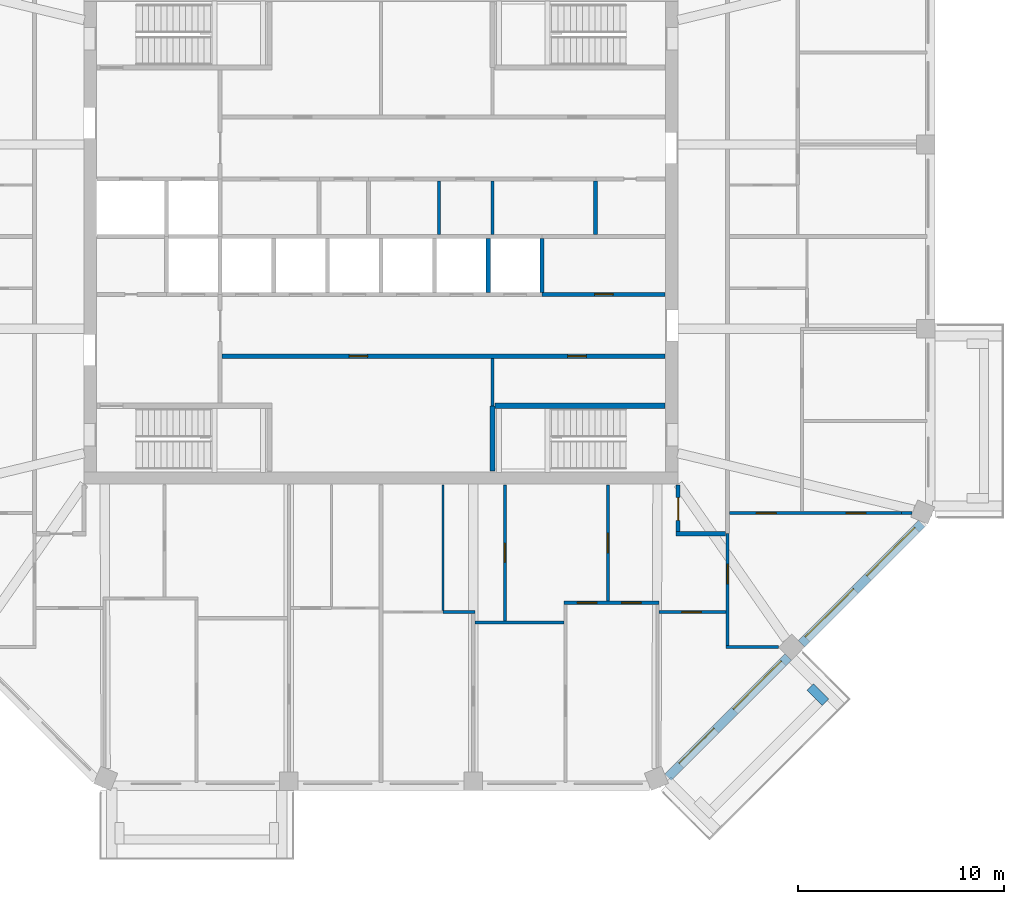
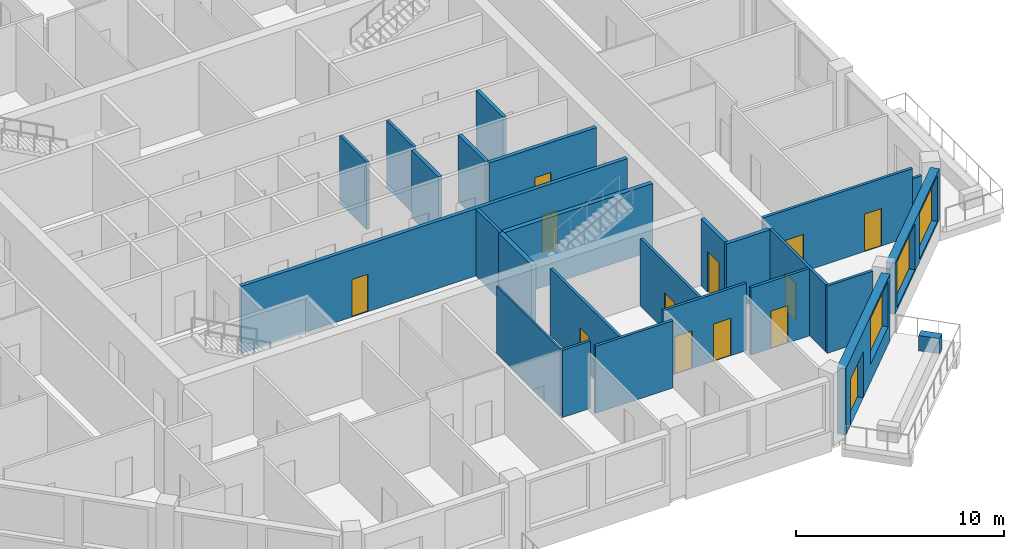
# One storey, part 5 of 11: 26 walls, 13 doors, 3 windows, 16 openings.
"""IFC4 building model written with IfcOpenShell, lengths in metres."""

import ifcopenshell
import ifcopenshell.guid

model = None  # the IFC model being written
_history = None  # IfcOwnerHistory: only IFC2X3 demands one
_inside = {}  # id of a spatial element -> (the spatial element, [elements in it])
_under = {}  # id of a project, library or spatial element -> (it, [spatial elements below it])
_declared = {}  # id of a project -> (the project, [libraries it declares])
_typed = {}  # id of a type object -> (the type object, [elements of that type])
_made_of = {}  # id of a material, layer set ... -> (it, [elements and type objects made of it])


def new_model(schema):
    """Start an empty IFC model of exactly this schema.

    Asked for "IFC4X3", IfcOpenShell would pick the latest addendum, in which some entities
    have other attributes; the version numbers below select the first issue.
    IFC2X3 requires an IfcOwnerHistory on every rooted entity: one is made here for all.
    """
    global model, _history
    if schema == "IFC4X3":
        model = ifcopenshell.file(schema_version=(4, 3, 0, 0))
    else:
        model = ifcopenshell.file(schema=schema)
    _inside.clear()
    _under.clear()
    _declared.clear()
    _typed.clear()
    _made_of.clear()
    _history = None
    if model.schema == "IFC2X3":
        org = make("IfcOrganization", Name="unknown")
        user = make(
            "IfcPersonAndOrganization",
            ThePerson=make("IfcPerson", FamilyName="unknown"),
            TheOrganization=org,
        )
        app = make(
            "IfcApplication",
            ApplicationDeveloper=org,
            Version="unknown",
            ApplicationFullName="unknown",
            ApplicationIdentifier="unknown",
        )
        _history = make(
            "IfcOwnerHistory",
            OwningUser=user,
            OwningApplication=app,
            ChangeAction="ADDED",
            CreationDate=0,
        )
    return model


def make(cls, **values):
    """One entity of the class cls with the attributes given. An attribute that is None is left unset."""
    return model.create_entity(
        cls, **{name: value for name, value in values.items() if value is not None}
    )


def rooted(cls, **values):
    """An entity with a GlobalId (a new one), such as an element, a storey or a relation."""
    return make(cls, GlobalId=ifcopenshell.guid.new(), OwnerHistory=_history, **values)


def si_unit(unit_type, name, prefix=None):
    """IfcSIUnit, for example si_unit("LENGTHUNIT", "METRE", prefix="MILLI")."""
    return make("IfcSIUnit", UnitType=unit_type, Prefix=prefix, Name=name)


def assignment(units):
    """IfcUnitAssignment: the units of a project."""
    return None if units is None else make("IfcUnitAssignment", Units=units)


def point(xyz):
    """IfcCartesianPoint."""
    return None if xyz is None else make("IfcCartesianPoint", Coordinates=xyz)


def direction(xyz):
    """IfcDirection."""
    return None if xyz is None else make("IfcDirection", DirectionRatios=xyz)


def frame(location, z_axis=None, x_axis=None):
    """IfcAxis2Placement3D, a coordinate frame: its origin and axes. An axis left out is left unset."""
    return make(
        "IfcAxis2Placement3D",
        Location=point(location),
        Axis=direction(z_axis),
        RefDirection=direction(x_axis),
    )


def frame_2d(location, x_axis=None):
    """IfcAxis2Placement2D, a coordinate frame in the plane: its origin and x axis."""
    return make(
        "IfcAxis2Placement2D", Location=point(location), RefDirection=direction(x_axis)
    )


def origin():
    """The frame at (0, 0, 0) with its axes left unset."""
    return frame((0.0, 0.0, 0.0))


def place(relative_to, where):
    """IfcLocalPlacement: puts the frame where relative to a parent placement (None: the world)."""
    return make(
        "IfcLocalPlacement", PlacementRelTo=relative_to, RelativePlacement=where
    )


def context(
    kind, dimensions, precision=None, world=None, true_north=None, identifier=None
):
    """IfcGeometricRepresentationContext, for example the 3D "Model" context."""
    return make(
        "IfcGeometricRepresentationContext",
        ContextIdentifier=identifier,
        ContextType=kind,
        CoordinateSpaceDimension=dimensions,
        Precision=precision,
        WorldCoordinateSystem=world,
        TrueNorth=true_north,
    )


def subcontext(parent, identifier, kind, view, scale=None):
    """IfcGeometricRepresentationSubContext, for example "Body" below "Model"."""
    return make(
        "IfcGeometricRepresentationSubContext",
        ContextIdentifier=identifier,
        ContextType=kind,
        ParentContext=parent,
        TargetScale=scale,
        TargetView=view,
    )


def project(units=None, contexts=None):
    """IfcProject with its units and contexts."""
    return rooted(
        "IfcProject",
        Name="project",
        RepresentationContexts=contexts,
        UnitsInContext=assignment(units),
    )


def spatial(cls, under=None, at=None, **own):
    """A site, building, storey or space (cls), placed at a placement, below another one or the project."""
    s = rooted(cls, ObjectPlacement=at, **own)
    if under is not None:
        _under.setdefault(under.id(), (under, []))[1].append(s)
    return s


def profile(cls, at=None, kind="AREA", **sizes):
    """A parametric profile (cls). Its sizes go by their IFC names, for example OverallWidth=200.0."""
    return make(cls, ProfileType=kind, Position=at, **sizes)


def rectangle(**sizes):
    """IfcRectangleProfileDef."""
    return profile("IfcRectangleProfileDef", **sizes)


def extrude(swept, where, along, depth):
    """IfcExtrudedAreaSolid: the profile swept, set in the frame where, extruded along a direction by depth."""
    return make(
        "IfcExtrudedAreaSolid",
        SweptArea=swept,
        Position=where,
        ExtrudedDirection=direction(along),
        Depth=depth,
    )


def shape(context_of_items, identifier, shape_type, items):
    """IfcShapeRepresentation: the items that make up one representation, for example the "Body"."""
    return make(
        "IfcShapeRepresentation",
        ContextOfItems=context_of_items,
        RepresentationIdentifier=identifier,
        RepresentationType=shape_type,
        Items=items,
    )


def material(Name=None, Category=None):
    """IfcMaterial."""
    return make("IfcMaterial", Name=Name, Category=Category)


def layer(
    of_material, thickness, ventilated=None, Name=None, Category=None, Priority=None
):
    """IfcMaterialLayer: one layer of a wall or slab, of a material (None: an air gap)."""
    return make(
        "IfcMaterialLayer",
        Material=of_material,
        LayerThickness=thickness,
        IsVentilated=ventilated,
        Name=Name,
        Category=Category,
        Priority=Priority,
    )


def layer_set(layers, Name=None):
    """IfcMaterialLayerSet."""
    return make("IfcMaterialLayerSet", MaterialLayers=layers, LayerSetName=Name)


def made_of(thing, what):
    """Note that an element or type object is made of a material, layer set ...; save() writes the relation."""
    if what is not None:
        _made_of.setdefault(what.id(), (what, []))[1].append(thing)
    return thing


def type_object(cls, material=None, **own):
    """A type object (cls), such as IfcWallType, which elements share."""
    return made_of(rooted(cls, **own), material)


def element(
    cls,
    number,
    at=None,
    inside=None,
    cuts=None,
    type_object=None,
    material=None,
    context=None,
    identifier="Body",
    shape_type=None,
    held_by="IfcProductDefinitionShape",
    body=None,
    shapes=None,
    **own,
):
    """One element of the class cls, such as IfcWall. Its Tag is "e" and its number.

    at: its placement. inside: the storey or other place that contains it. cuts: it is an
    opening in that element (IfcRelVoidsElement). A single representation is given by context,
    identifier, shape_type and body (its items); several are given by shapes. held_by: the class
    of the entity that holds the representations. save() writes the other relations.
    """
    e = rooted(cls, Tag="e%d" % number, ObjectPlacement=at, **own)
    if body is not None:
        shapes = [shape(context, identifier, shape_type, body)]
    if shapes is not None:
        e.Representation = make(held_by, Representations=shapes)
    if inside is not None:
        _inside.setdefault(inside.id(), (inside, []))[1].append(e)
    if cuts is not None:
        rooted(
            "IfcRelVoidsElement", RelatingBuildingElement=cuts, RelatedOpeningElement=e
        )
    if type_object is not None:
        _typed.setdefault(type_object.id(), (type_object, []))[1].append(e)
    return made_of(e, material)


def fill(opening, filler):
    """IfcRelFillsElement: the door or window that sits in an opening."""
    return rooted(
        "IfcRelFillsElement",
        RelatingOpeningElement=opening,
        RelatedBuildingElement=filler,
    )


def aggregate(whole, parts):
    """IfcRelAggregates: a whole, such as a stair, and the parts it consists of."""
    return rooted("IfcRelAggregates", RelatingObject=whole, RelatedObjects=parts)


def save(model, path):
    """Write the relations noted so far, then the file.

    IfcRelAggregates (storeys below a building ...), IfcRelContainedInSpatialStructure (elements
    in a storey), IfcRelDefinesByType, IfcRelAssociatesMaterial and IfcRelDeclares: one each for
    every whole, place, type object, material and project.
    """
    for whole, parts in _under.values():
        aggregate(whole, parts)
    for where, things in _inside.values():
        rooted(
            "IfcRelContainedInSpatialStructure",
            RelatedElements=things,
            RelatingStructure=where,
        )
    for kind, things in _typed.values():
        rooted("IfcRelDefinesByType", RelatedObjects=things, RelatingType=kind)
    for what, things in _made_of.values():
        rooted("IfcRelAssociatesMaterial", RelatedObjects=things, RelatingMaterial=what)
    for by, libraries in _declared.values():
        rooted("IfcRelDeclares", RelatingContext=by, RelatedDefinitions=libraries)
    model.write(path)


model = new_model("IFC4")

# Units and contexts
model_context = context("Model", 3, precision=1e-05, world=origin(), true_north=direction((0.0, 1.0)))
body_context = subcontext(model_context, "Body", "Model", "MODEL_VIEW")
ifc_project = project(units=[si_unit("LENGTHUNIT", "METRE"), si_unit("AREAUNIT", "SQUARE_METRE"), si_unit("VOLUMEUNIT", "CUBIC_METRE"), si_unit("PLANEANGLEUNIT", "RADIAN"), si_unit("MASSUNIT", "GRAM", prefix="KILO")], contexts=[model_context])

# Site, building, storey
site_placement = place(None, origin())
site = spatial("IfcSite", under=ifc_project, at=site_placement, CompositionType="ELEMENT")
building_placement = place(site_placement, origin())
building = spatial("IfcBuilding", under=site, at=building_placement, Name="Msitu Wima Residences", CompositionType="ELEMENT")
storey_placement = place(building_placement, frame((0.0, 0.0, 226.5)))
storey = spatial("IfcBuildingStorey", under=building, at=storey_placement, Name="L52", CompositionType="ELEMENT", Elevation=226.5)

# Wall
ifc_material_1 = material(Name="Facing brick")
ifc_layer_1 = layer(ifc_material_1, 0.06494140625, Name="Facing brick")
ifc_material_2 = material(Name="Concrete C40/50", Category="concrete")
ifc_layer_2 = layer(ifc_material_2, 0.156005859375, Name="Concrete C40/50")
ifc_material_3 = material(Name="Waterproofing membrane")
ifc_layer_3 = layer(ifc_material_3, 0.00390625, Name="Waterproofing membrane")
ifc_material_4 = material(Name="Planting soil and planting")
ifc_layer_4 = layer(ifc_material_4, 0.22509765625, Name="Planting soil and planting")
ifc_layer_set_1 = layer_set([ifc_layer_1, ifc_layer_2, ifc_layer_3, ifc_layer_4], Name="Concrete C40/50")
wall_type_1 = type_object("IfcWallType", Name="Balcony planter PLANTER PL450", PredefinedType="USERDEFINED", material=ifc_layer_set_1)
wall_1_placement = place(storey_placement, frame((20.804443359375, -21.829833984375, 0.0), z_axis=(0.0, 0.0, 1.0), x_axis=(0.707106781187, -0.707106781187, 0.0)))
element("IfcWall", 1, at=wall_1_placement, inside=storey, type_object=wall_type_1, Name="Balcony planter SE0 L52", ObjectType="PLANTER", PredefinedType="USERDEFINED", context=body_context, shape_type="SweptSolid", body=[
    extrude(rectangle(XDim=1.050048828125, YDim=0.449951171875, at=frame_2d((0.52490234375, 0.0))), origin(), (0.0, 0.0, 1.0), 0.89990234375),
])

# Wall, openings, door, window
ifc_material_5 = material(Name="Brick (red buff mix)", Category="masonry")
ifc_layer_5 = layer(ifc_material_5, 0.449951171875)
ifc_layer_set_2 = layer_set([ifc_layer_5], Name="Brick (red buff mix)")
wall_type_2 = type_object("IfcWallType", Name="Brick infill wall BW450", PredefinedType="SOLIDWALL", material=ifc_layer_set_2)
wall_2_placement = place(storey_placement, frame((13.909423828125, -26.214599609375, 0.0), z_axis=(0.0, 0.0, 1.0), x_axis=(0.707106781187, 0.707106781187, 0.0)))
wall_2 = element("IfcWall", 2, at=wall_2_placement, inside=storey, type_object=wall_type_2, Name="Brick infill wall L52 SE0", PredefinedType="SOLIDWALL", context=body_context, shape_type="SweptSolid", body=[
    extrude(rectangle(XDim=8.251220703125, YDim=0.449951171875, at=frame_2d((4.12548828125, 0.0))), origin(), (0.0, 0.0, 1.0), 3.89990234375),
])
opening_1_placement = place(wall_2_placement, frame((0.86279296875, 0.0, 0.0)))
opening_1 = element("IfcOpeningElement", 3, at=opening_1_placement, cuts=wall_2, Name="Opening D52-54.006", PredefinedType="OPENING", context=body_context, shape_type="SweptSolid", body=[
    extrude(rectangle(XDim=2.39990234375, YDim=2.699951171875, at=frame_2d((1.199951171875, 1.35009765625))), frame((0.0, 0.23486328125, 0.0), z_axis=(0.0, -1.0, 0.0), x_axis=(1.0, 0.0, 0.0)), (0.0, 0.0, 1.0), 0.469970703125),
])
opening_2_placement = place(wall_2_placement, frame((4.57568359375, 0.0, 1.050048828125)))
opening_2 = element("IfcOpeningElement", 4, at=opening_2_placement, cuts=wall_2, Name="Opening W52-54.022", PredefinedType="OPENING", context=body_context, shape_type="SweptSolid", body=[
    extrude(rectangle(XDim=3.300048828125, YDim=2.699951171875, at=frame_2d((1.64990234375, 1.35009765625))), frame((0.0, 0.23486328125, 0.0), z_axis=(0.0, -1.0, 0.0), x_axis=(1.0, 0.0, 0.0)), (0.0, 0.0, 1.0), 0.469970703125),
])
ifc_material_6 = material(Name="Anodised aluminium, bronze finish, clear low-emissivity double glazing", Category="aluminium")
door_type_1 = type_object("IfcDoorType", Name="Balcony door D2400x2700", OperationType="SLIDING_TO_LEFT", PredefinedType="DOOR", material=ifc_material_6)
door_1_placement = place(opening_1_placement, origin())
door_1 = element("IfcDoor", 5, at=door_1_placement, inside=storey, type_object=door_type_1, Name="Balcony door L52 SE0", OperationType="SINGLE_SWING_LEFT", OverallHeight=2.699951171875, OverallWidth=2.39990234375, PredefinedType="DOOR", context=body_context, shape_type="SweptSolid", body=[
    extrude(rectangle(XDim=2.39990234375, YDim=2.699951171875, at=frame_2d((1.199951171875, 1.35009765625))), frame((0.0, 0.1298828125, 0.0), z_axis=(0.0, -1.0, 0.0), x_axis=(1.0, 0.0, 0.0)), (0.0, 0.0, 1.0), 0.050048828125),
])
fill(opening_1, door_1)
window_type = type_object("IfcWindowType", Name="Window W3300x2700", PartitioningType="DOUBLE_PANEL_VERTICAL", PredefinedType="WINDOW", material=ifc_material_6)
window_1_placement = place(opening_2_placement, origin())
window_1 = element("IfcWindow", 6, at=window_1_placement, inside=storey, type_object=window_type, Name="Window L52 SE0.2", OverallHeight=2.699951171875, OverallWidth=3.300048828125, PartitioningType="SINGLE_PANEL", PredefinedType="WINDOW", context=body_context, shape_type="SweptSolid", body=[
    extrude(rectangle(XDim=3.300048828125, YDim=2.699951171875, at=frame_2d((1.64990234375, 1.35009765625))), frame((0.0, 0.135009765625, 0.0), z_axis=(0.0, -1.0, 0.0), x_axis=(1.0, 0.0, 0.0)), (0.0, 0.0, 1.0), 0.06005859375),
])
fill(opening_2, window_1)

# Wall, openings, windows
wall_3_placement = place(storey_placement, frame((20.380126953125, -19.743896484375, 0.89990234375), z_axis=(0.0, 0.0, 1.0), x_axis=(0.707106781187, 0.707106781187, 0.0)))
wall_3 = element("IfcWall", 7, at=wall_3_placement, inside=storey, type_object=wall_type_2, Name="Brick infill wall L52 SE1", PredefinedType="SOLIDWALL", context=body_context, shape_type="SweptSolid", body=[
    extrude(rectangle(XDim=8.251220703125, YDim=0.449951171875, at=frame_2d((4.12548828125, 0.0))), origin(), (0.0, 0.0, 1.0), 3.0),
])
opening_3_placement = place(wall_3_placement, frame((0.37548828125, 0.0, 0.14990234375)))
opening_3 = element("IfcOpeningElement", 8, at=opening_3_placement, cuts=wall_3, Name="Opening W52-54.023", PredefinedType="OPENING", context=body_context, shape_type="SweptSolid", body=[
    extrude(rectangle(XDim=3.300048828125, YDim=2.699951171875, at=frame_2d((1.64990234375, 1.35009765625))), frame((0.0, 0.23486328125, 0.0), z_axis=(0.0, -1.0, 0.0), x_axis=(1.0, 0.0, 0.0)), (0.0, 0.0, 1.0), 0.469970703125),
])
opening_4_placement = place(wall_3_placement, frame((4.57568359375, 0.0, 0.14990234375)))
opening_4 = element("IfcOpeningElement", 9, at=opening_4_placement, cuts=wall_3, Name="Opening W52-54.024", PredefinedType="OPENING", context=body_context, shape_type="SweptSolid", body=[
    extrude(rectangle(XDim=3.300048828125, YDim=2.699951171875, at=frame_2d((1.64990234375, 1.35009765625))), frame((0.0, 0.23486328125, 0.0), z_axis=(0.0, -1.0, 0.0), x_axis=(1.0, 0.0, 0.0)), (0.0, 0.0, 1.0), 0.469970703125),
])
window_2_placement = place(opening_3_placement, origin())
window_2 = element("IfcWindow", 10, at=window_2_placement, inside=storey, type_object=window_type, Name="Window L52 SE1.1", OverallHeight=2.699951171875, OverallWidth=3.300048828125, PartitioningType="SINGLE_PANEL", PredefinedType="WINDOW", context=body_context, shape_type="SweptSolid", body=[
    extrude(rectangle(XDim=3.300048828125, YDim=2.699951171875, at=frame_2d((1.64990234375, 1.35009765625))), frame((0.0, 0.135009765625, 0.0), z_axis=(0.0, -1.0, 0.0), x_axis=(1.0, 0.0, 0.0)), (0.0, 0.0, 1.0), 0.06005859375),
])
fill(opening_3, window_2)
window_3_placement = place(opening_4_placement, origin())
window_3 = element("IfcWindow", 11, at=window_3_placement, inside=storey, type_object=window_type, Name="Window L52 SE1.2", OverallHeight=2.699951171875, OverallWidth=3.300048828125, PartitioningType="SINGLE_PANEL", PredefinedType="WINDOW", context=body_context, shape_type="SweptSolid", body=[
    extrude(rectangle(XDim=3.300048828125, YDim=2.699951171875, at=frame_2d((1.64990234375, 1.35009765625))), frame((0.0, 0.135009765625, 0.0), z_axis=(0.0, -1.0, 0.0), x_axis=(1.0, 0.0, 0.0)), (0.0, 0.0, 1.0), 0.06005859375),
])
fill(opening_4, window_3)

# Wall, openings, doors
ifc_material_7 = material(Name="Plaster")
ifc_layer_6 = layer(ifc_material_7, 0.011962890625, Name="Plaster")
ifc_material_8 = material(Name="Concrete blockwork", Category="masonry")
ifc_layer_7 = layer(ifc_material_8, 0.176025390625, Name="Concrete blockwork")
ifc_layer_8 = layer(ifc_material_7, 0.011962890625, Name="Plaster")
ifc_layer_set_3 = layer_set([ifc_layer_6, ifc_layer_7, ifc_layer_8], Name="Concrete blockwork")
wall_type_3 = type_object("IfcWallType", Name="Corridor wall FW200", PredefinedType="PARTITIONING", material=ifc_layer_set_3)
wall_4_placement = place(storey_placement, frame((-7.699951171875, -5.800048828125, 0.0), z_axis=(0.0, 0.0, 1.0), x_axis=(1.0, 0.0, 0.0)))
wall_4 = element("IfcWall", 12, at=wall_4_placement, inside=storey, type_object=wall_type_3, Name="Corridor wall", PredefinedType="PARTITIONING", context=body_context, shape_type="SweptSolid", body=[
    extrude(rectangle(XDim=21.469970703125, YDim=0.199951171875, at=frame_2d((10.73486328125, 0.0))), origin(), (0.0, 0.0, 1.0), 3.949951171875),
])
opening_5_placement = place(wall_4_placement, frame((6.14990234375, 0.0, 0.0)))
opening_5 = element("IfcOpeningElement", 13, at=opening_5_placement, cuts=wall_4, Name="Opening D52-54.074", PredefinedType="OPENING", context=body_context, shape_type="SweptSolid", body=[
    extrude(rectangle(XDim=0.89990234375, YDim=2.199951171875, at=frame_2d((0.449951171875, 1.10009765625))), frame((0.0, 0.10986328125, 0.0), z_axis=(0.0, -1.0, 0.0), x_axis=(1.0, 0.0, 0.0)), (0.0, 0.0, 1.0), 0.219970703125),
])
opening_6_placement = place(wall_4_placement, frame((16.75, 0.0, 0.0)))
opening_6 = element("IfcOpeningElement", 14, at=opening_6_placement, cuts=wall_4, Name="Opening D52-54.075", PredefinedType="OPENING", context=body_context, shape_type="SweptSolid", body=[
    extrude(rectangle(XDim=0.89990234375, YDim=2.199951171875, at=frame_2d((0.449951171875, 1.10009765625))), frame((0.0, 0.10986328125, 0.0), z_axis=(0.0, -1.0, 0.0), x_axis=(1.0, 0.0, 0.0)), (0.0, 0.0, 1.0), 0.219970703125),
])
ifc_material_9 = material(Name="Timber flush door", Category="wood")
door_type_2 = type_object("IfcDoorType", Name="Service door D05 900x2200", OperationType="SINGLE_SWING_LEFT", PredefinedType="DOOR", material=ifc_material_9)
door_2_placement = place(opening_5_placement, origin())
door_2 = element("IfcDoor", 15, at=door_2_placement, inside=storey, type_object=door_type_2, Name="Service door", OperationType="SINGLE_SWING_RIGHT", OverallHeight=2.199951171875, OverallWidth=0.89990234375, PredefinedType="DOOR", context=body_context, shape_type="SweptSolid", body=[
    extrude(rectangle(XDim=0.89990234375, YDim=2.199951171875, at=frame_2d((0.449951171875, 1.10009765625))), frame((0.0, 0.02490234375, 0.0), z_axis=(0.0, -1.0, 0.0), x_axis=(1.0, 0.0, 0.0)), (0.0, 0.0, 1.0), 0.050048828125),
])
fill(opening_5, door_2)
door_3_placement = place(opening_6_placement, origin())
door_3 = element("IfcDoor", 16, at=door_3_placement, inside=storey, type_object=door_type_2, Name="Service door", OperationType="SINGLE_SWING_LEFT", OverallHeight=2.199951171875, OverallWidth=0.89990234375, PredefinedType="DOOR", context=body_context, shape_type="SweptSolid", body=[
    extrude(rectangle(XDim=0.89990234375, YDim=2.199951171875, at=frame_2d((0.449951171875, 1.10009765625))), frame((0.0, 0.02490234375, 0.0), z_axis=(0.0, -1.0, 0.0), x_axis=(1.0, 0.0, 0.0)), (0.0, 0.0, 1.0), 0.050048828125),
])
fill(opening_6, door_3)

# Wall, opening, door
wall_5_placement = place(storey_placement, frame((14.39990234375, -14.300048828125, 0.0), z_axis=(0.0, 0.0, 1.0), x_axis=(0.0, 1.0, 0.0)))
wall_5 = element("IfcWall", 17, at=wall_5_placement, inside=storey, type_object=wall_type_3, Name="Corridor wall", PredefinedType="PARTITIONING", context=body_context, shape_type="SweptSolid", body=[
    extrude(rectangle(XDim=2.27001953125, YDim=0.199951171875, at=frame_2d((1.135009765625, 0.0))), origin(), (0.0, 0.0, 1.0), 3.949951171875),
])
opening_7_placement = place(wall_5_placement, frame((0.550048828125, 0.0, 0.0)))
opening_7 = element("IfcOpeningElement", 18, at=opening_7_placement, cuts=wall_5, Name="Opening D52-54.051", PredefinedType="OPENING", context=body_context, shape_type="SweptSolid", body=[
    extrude(rectangle(XDim=1.10009765625, YDim=2.39990234375, at=frame_2d((0.550048828125, 1.199951171875))), frame((0.0, 0.10986328125, 0.0), z_axis=(0.0, -1.0, 0.0), x_axis=(1.0, 0.0, 0.0)), (0.0, 0.0, 1.0), 0.219970703125),
])
ifc_material_10 = material(Name="Timber flush door, fire resisting, self-closing", Category="wood")
door_type_3 = type_object("IfcDoorType", Name="Flat entrance door D01 1100x2400", OperationType="SINGLE_SWING_LEFT", PredefinedType="DOOR", material=ifc_material_10)
door_4_placement = place(opening_7_placement, origin())
door_4 = element("IfcDoor", 19, at=door_4_placement, inside=storey, type_object=door_type_3, Name="Flat entrance door", OperationType="SINGLE_SWING_RIGHT", OverallHeight=2.39990234375, OverallWidth=1.10009765625, PredefinedType="DOOR", context=body_context, shape_type="SweptSolid", body=[
    extrude(rectangle(XDim=1.10009765625, YDim=2.39990234375, at=frame_2d((0.550048828125, 1.199951171875))), frame((0.0, 0.02490234375, 0.0), z_axis=(0.0, -1.0, 0.0), x_axis=(1.0, 0.0, 0.0)), (0.0, 0.0, 1.0), 0.050048828125),
])
fill(opening_7, door_4)

# Walls
wall_6_placement = place(storey_placement, frame((14.300048828125, -14.39990234375, 0.0), z_axis=(0.0, 0.0, 1.0), x_axis=(1.0, 0.0, 0.0)))
element("IfcWall", 20, at=wall_6_placement, inside=storey, type_object=wall_type_3, Name="Corridor wall", PredefinedType="PARTITIONING", context=body_context, shape_type="SweptSolid", body=[
    extrude(rectangle(XDim=2.39990234375, YDim=0.199951171875, at=frame_2d((1.199951171875, 0.0))), origin(), (0.0, 0.0, 1.0), 3.949951171875),
])
ifc_layer_9 = layer(ifc_material_7, 0.011962890625, Name="Plaster")
ifc_layer_10 = layer(ifc_material_8, 0.1259765625, Name="Concrete blockwork")
ifc_layer_11 = layer(ifc_material_7, 0.011962890625, Name="Plaster")
ifc_layer_set_4 = layer_set([ifc_layer_9, ifc_layer_10, ifc_layer_11], Name="Concrete blockwork")
wall_type_4 = type_object("IfcWallType", Name="Partition PW150", PredefinedType="PARTITIONING", material=ifc_layer_set_4)
wall_7_placement = place(storey_placement, frame((2.800048828125, 0.10009765625, 0.0), z_axis=(0.0, 0.0, 1.0), x_axis=(0.0, 1.0, 0.0)))
element("IfcWall", 21, at=wall_7_placement, inside=storey, type_object=wall_type_4, Name="Partition", PredefinedType="PARTITIONING", context=body_context, shape_type="SweptSolid", body=[
    extrude(rectangle(XDim=2.599853515625, YDim=0.14990234375, at=frame_2d((1.2998046875, 0.0))), origin(), (0.0, 0.0, 1.0), 3.949951171875),
])
wall_8_placement = place(storey_placement, frame((3.0, -18.199951171875, 0.0), z_axis=(0.0, 0.0, 1.0), x_axis=(1.0, 0.0, 0.0)))
element("IfcWall", 22, at=wall_8_placement, inside=storey, type_object=wall_type_4, Name="Partition", PredefinedType="PARTITIONING", context=body_context, shape_type="SweptSolid", body=[
    extrude(rectangle(XDim=1.543701171875, YDim=0.14990234375, at=frame_2d((0.77197265625, 0.0))), origin(), (0.0, 0.0, 1.0), 3.949951171875),
])
wall_9_placement = place(storey_placement, frame((4.543701171875, -18.699951171875, 0.0), z_axis=(0.0, 0.0, 1.0), x_axis=(1.0, 0.0, 0.0)))
element("IfcWall", 23, at=wall_9_placement, inside=storey, type_object=wall_type_4, Name="Partition", PredefinedType="PARTITIONING", context=body_context, shape_type="SweptSolid", body=[
    extrude(rectangle(XDim=4.318603515625, YDim=0.14990234375, at=frame_2d((2.1591796875, 0.0))), origin(), (0.0, 0.0, 1.0), 3.949951171875),
])
wall_10_placement = place(storey_placement, frame((5.39990234375, -8.199951171875, 0.0), z_axis=(0.0, 0.0, 1.0), x_axis=(0.0, 1.0, 0.0)))
element("IfcWall", 24, at=wall_10_placement, inside=storey, type_object=wall_type_4, Name="Partition", PredefinedType="PARTITIONING", context=body_context, shape_type="SweptSolid", body=[
    extrude(rectangle(XDim=2.300048828125, YDim=0.14990234375, at=frame_2d((1.14990234375, 0.0))), origin(), (0.0, 0.0, 1.0), 3.949951171875),
])
wall_11_placement = place(storey_placement, frame((5.39990234375, 0.10009765625, 0.0), z_axis=(0.0, 0.0, 1.0), x_axis=(0.0, 1.0, 0.0)))
element("IfcWall", 25, at=wall_11_placement, inside=storey, type_object=wall_type_4, Name="Partition", PredefinedType="PARTITIONING", context=body_context, shape_type="SweptSolid", body=[
    extrude(rectangle(XDim=2.599853515625, YDim=0.14990234375, at=frame_2d((1.2998046875, 0.0))), origin(), (0.0, 0.0, 1.0), 3.949951171875),
])

# Wall, opening, door
wall_12_placement = place(storey_placement, frame((6.0, -18.625, 0.0), z_axis=(0.0, 0.0, 1.0), x_axis=(0.0, 1.0, 0.0)))
wall_12 = element("IfcWall", 26, at=wall_12_placement, inside=storey, type_object=wall_type_4, Name="Partition", PredefinedType="PARTITIONING", context=body_context, shape_type="SweptSolid", body=[
    extrude(rectangle(XDim=6.594970703125, YDim=0.14990234375, at=frame_2d((3.29736328125, 0.0))), origin(), (0.0, 0.0, 1.0), 3.949951171875),
])
opening_8_placement = place(wall_12_placement, frame((2.85009765625, 0.0, 0.0)))
opening_8 = element("IfcOpeningElement", 27, at=opening_8_placement, cuts=wall_12, Name="Opening D52-54.061", PredefinedType="OPENING", context=body_context, shape_type="SweptSolid", body=[
    extrude(rectangle(XDim=0.89990234375, YDim=2.199951171875, at=frame_2d((0.449951171875, 1.10009765625))), frame((0.0, 0.0849609375, 0.0), z_axis=(0.0, -1.0, 0.0), x_axis=(1.0, 0.0, 0.0)), (0.0, 0.0, 1.0), 0.169921875),
])
door_5_placement = place(opening_8_placement, origin())
door_5 = element("IfcDoor", 28, at=door_5_placement, inside=storey, type_object=door_type_2, Name="Service door", OperationType="SINGLE_SWING_LEFT", OverallHeight=2.199951171875, OverallWidth=0.89990234375, PredefinedType="DOOR", context=body_context, shape_type="SweptSolid", body=[
    extrude(rectangle(XDim=0.89990234375, YDim=2.199951171875, at=frame_2d((0.449951171875, 1.10009765625))), frame((0.0, 0.02490234375, 0.0), z_axis=(0.0, -1.0, 0.0), x_axis=(1.0, 0.0, 0.0)), (0.0, 0.0, 1.0), 0.050048828125),
])
fill(opening_8, door_5)

# Wall, openings, doors
wall_13_placement = place(storey_placement, frame((8.8623046875, -17.75, 0.0), z_axis=(0.0, 0.0, 1.0), x_axis=(1.0, 0.0, 0.0)))
wall_13 = element("IfcWall", 29, at=wall_13_placement, inside=storey, type_object=wall_type_4, Name="Partition", PredefinedType="PARTITIONING", context=body_context, shape_type="SweptSolid", body=[
    extrude(rectangle(XDim=4.61865234375, YDim=0.14990234375, at=frame_2d((2.309326171875, 0.0))), origin(), (0.0, 0.0, 1.0), 3.949951171875),
])
opening_9_placement = place(wall_13_placement, frame((2.800048828125, 0.0, 0.0)))
opening_9 = element("IfcOpeningElement", 30, at=opening_9_placement, cuts=wall_13, Name="Opening D52-54.058", PredefinedType="OPENING", context=body_context, shape_type="SweptSolid", body=[
    extrude(rectangle(XDim=0.949951171875, YDim=2.199951171875, at=frame_2d((0.47509765625, 1.10009765625))), frame((0.0, 0.0849609375, 0.0), z_axis=(0.0, -1.0, 0.0), x_axis=(1.0, 0.0, 0.0)), (0.0, 0.0, 1.0), 0.169921875),
])
opening_10_placement = place(wall_13_placement, frame((0.64990234375, 0.0, 0.0)))
opening_10 = element("IfcOpeningElement", 31, at=opening_10_placement, cuts=wall_13, Name="Opening D52-54.057", PredefinedType="OPENING", context=body_context, shape_type="SweptSolid", body=[
    extrude(rectangle(XDim=0.949951171875, YDim=2.199951171875, at=frame_2d((0.47509765625, 1.10009765625))), frame((0.0, 0.0849609375, 0.0), z_axis=(0.0, -1.0, 0.0), x_axis=(1.0, 0.0, 0.0)), (0.0, 0.0, 1.0), 0.169921875),
])
door_type_4 = type_object("IfcDoorType", Name="Room door D12 950x2200", OperationType="SINGLE_SWING_LEFT", PredefinedType="DOOR", material=ifc_material_9)
door_6_placement = place(opening_9_placement, origin())
door_6 = element("IfcDoor", 32, at=door_6_placement, inside=storey, type_object=door_type_4, Name="Room door", OperationType="SINGLE_SWING_LEFT", OverallHeight=2.199951171875, OverallWidth=0.949951171875, PredefinedType="DOOR", context=body_context, shape_type="SweptSolid", body=[
    extrude(rectangle(XDim=0.949951171875, YDim=2.199951171875, at=frame_2d((0.47509765625, 1.10009765625))), frame((0.0, 0.02490234375, 0.0), z_axis=(0.0, -1.0, 0.0), x_axis=(1.0, 0.0, 0.0)), (0.0, 0.0, 1.0), 0.050048828125),
])
fill(opening_9, door_6)
door_7_placement = place(opening_10_placement, origin())
door_7 = element("IfcDoor", 33, at=door_7_placement, inside=storey, type_object=door_type_4, Name="Room door", OperationType="SINGLE_SWING_RIGHT", OverallHeight=2.199951171875, OverallWidth=0.949951171875, PredefinedType="DOOR", context=body_context, shape_type="SweptSolid", body=[
    extrude(rectangle(XDim=0.949951171875, YDim=2.199951171875, at=frame_2d((0.47509765625, 1.10009765625))), frame((0.0, 0.02490234375, 0.0), z_axis=(0.0, -1.0, 0.0), x_axis=(1.0, 0.0, 0.0)), (0.0, 0.0, 1.0), 0.050048828125),
])
fill(opening_10, door_7)

# Wall, opening, door
wall_14_placement = place(storey_placement, frame((11.0, -17.675048828125, 0.0), z_axis=(0.0, 0.0, 1.0), x_axis=(0.0, 1.0, 0.0)))
wall_14 = element("IfcWall", 34, at=wall_14_placement, inside=storey, type_object=wall_type_4, Name="Partition", PredefinedType="PARTITIONING", context=body_context, shape_type="SweptSolid", body=[
    extrude(rectangle(XDim=5.64501953125, YDim=0.14990234375, at=frame_2d((2.822509765625, 0.0))), origin(), (0.0, 0.0, 1.0), 3.949951171875),
])
opening_11_placement = place(wall_14_placement, frame((2.35009765625, 0.0, 0.0)))
opening_11 = element("IfcOpeningElement", 35, at=opening_11_placement, cuts=wall_14, Name="Opening D52-54.052", PredefinedType="OPENING", context=body_context, shape_type="SweptSolid", body=[
    extrude(rectangle(XDim=0.949951171875, YDim=2.199951171875, at=frame_2d((0.47509765625, 1.10009765625))), frame((0.0, 0.0849609375, 0.0), z_axis=(0.0, -1.0, 0.0), x_axis=(1.0, 0.0, 0.0)), (0.0, 0.0, 1.0), 0.169921875),
])
door_8_placement = place(opening_11_placement, origin())
door_8 = element("IfcDoor", 36, at=door_8_placement, inside=storey, type_object=door_type_4, Name="Room door", OperationType="SINGLE_SWING_LEFT", OverallHeight=2.199951171875, OverallWidth=0.949951171875, PredefinedType="DOOR", context=body_context, shape_type="SweptSolid", body=[
    extrude(rectangle(XDim=0.949951171875, YDim=2.199951171875, at=frame_2d((0.47509765625, 1.10009765625))), frame((0.0, 0.02490234375, 0.0), z_axis=(0.0, -1.0, 0.0), x_axis=(1.0, 0.0, 0.0)), (0.0, 0.0, 1.0), 0.050048828125),
])
fill(opening_11, door_8)

wall_15_placement = place(storey_placement, frame((13.48095703125, -18.199951171875, 0.0), z_axis=(0.0, 0.0, 1.0), x_axis=(1.0, 0.0, 0.0)))
wall_15 = element("IfcWall", 37, at=wall_15_placement, inside=storey, type_object=wall_type_4, Name="Partition", PredefinedType="PARTITIONING", context=body_context, shape_type="SweptSolid", body=[
    extrude(rectangle(XDim=3.244140625, YDim=0.14990234375, at=frame_2d((1.6220703125, 0.0))), origin(), (0.0, 0.0, 1.0), 3.949951171875),
])
opening_12_placement = place(wall_15_placement, frame((1.10009765625, 0.0, 0.0)))
opening_12 = element("IfcOpeningElement", 38, at=opening_12_placement, cuts=wall_15, Name="Opening D52-54.059", PredefinedType="OPENING", context=body_context, shape_type="SweptSolid", body=[
    extrude(rectangle(XDim=0.949951171875, YDim=2.199951171875, at=frame_2d((0.47509765625, 1.10009765625))), frame((0.0, 0.0849609375, 0.0), z_axis=(0.0, -1.0, 0.0), x_axis=(1.0, 0.0, 0.0)), (0.0, 0.0, 1.0), 0.169921875),
])
door_9_placement = place(opening_12_placement, origin())
door_9 = element("IfcDoor", 39, at=door_9_placement, inside=storey, type_object=door_type_4, Name="Room door", OperationType="SINGLE_SWING_RIGHT", OverallHeight=2.199951171875, OverallWidth=0.949951171875, PredefinedType="DOOR", context=body_context, shape_type="SweptSolid", body=[
    extrude(rectangle(XDim=0.949951171875, YDim=2.199951171875, at=frame_2d((0.47509765625, 1.10009765625))), frame((0.0, 0.02490234375, 0.0), z_axis=(0.0, -1.0, 0.0), x_axis=(1.0, 0.0, 0.0)), (0.0, 0.0, 1.0), 0.050048828125),
])
fill(opening_12, door_9)

wall_16_placement = place(storey_placement, frame((16.800048828125, -19.827880859375, 0.0), z_axis=(0.0, 0.0, 1.0), x_axis=(0.0, 1.0, 0.0)))
wall_16 = element("IfcWall", 40, at=wall_16_placement, inside=storey, type_object=wall_type_4, Name="Partition", PredefinedType="PARTITIONING", context=body_context, shape_type="SweptSolid", body=[
    extrude(rectangle(XDim=5.427978515625, YDim=0.14990234375, at=frame_2d((2.7138671875, 0.0))), origin(), (0.0, 0.0, 1.0), 3.949951171875),
])
opening_13_placement = place(wall_16_placement, frame((3.0, 0.0, 0.0)))
opening_13 = element("IfcOpeningElement", 41, at=opening_13_placement, cuts=wall_16, Name="Opening D52-54.060", PredefinedType="OPENING", context=body_context, shape_type="SweptSolid", body=[
    extrude(rectangle(XDim=0.949951171875, YDim=2.199951171875, at=frame_2d((0.47509765625, 1.10009765625))), frame((0.0, 0.0849609375, 0.0), z_axis=(0.0, -1.0, 0.0), x_axis=(1.0, 0.0, 0.0)), (0.0, 0.0, 1.0), 0.169921875),
])
door_10_placement = place(opening_13_placement, origin())
door_10 = element("IfcDoor", 42, at=door_10_placement, inside=storey, type_object=door_type_4, Name="Room door", OperationType="SINGLE_SWING_LEFT", OverallHeight=2.199951171875, OverallWidth=0.949951171875, PredefinedType="DOOR", context=body_context, shape_type="SweptSolid", body=[
    extrude(rectangle(XDim=0.949951171875, YDim=2.199951171875, at=frame_2d((0.47509765625, 1.10009765625))), frame((0.0, 0.02490234375, 0.0), z_axis=(0.0, -1.0, 0.0), x_axis=(1.0, 0.0, 0.0)), (0.0, 0.0, 1.0), 0.050048828125),
])
fill(opening_13, door_10)

# Wall
wall_17_placement = place(storey_placement, frame((16.72509765625, -19.90283203125, 0.0), z_axis=(0.0, 0.0, 1.0), x_axis=(1.0, 0.0, 0.0)))
element("IfcWall", 43, at=wall_17_placement, inside=storey, type_object=wall_type_4, Name="Partition", PredefinedType="PARTITIONING", context=body_context, shape_type="SweptSolid", body=[
    extrude(rectangle(XDim=2.54150390625, YDim=0.14990234375, at=frame_2d((1.270751953125, 0.0))), origin(), (0.0, 0.0, 1.0), 3.949951171875),
])

# Wall, openings, doors
wall_18_placement = place(storey_placement, frame((16.89990234375, -13.406005859375, 0.0), z_axis=(0.0, 0.0, 1.0), x_axis=(1.0, 0.0, 0.0)))
wall_18 = element("IfcWall", 44, at=wall_18_placement, inside=storey, type_object=wall_type_4, Name="Partition", PredefinedType="PARTITIONING", context=body_context, shape_type="SweptSolid", body=[
    extrude(rectangle(XDim=8.32421875, YDim=0.14990234375, at=frame_2d((4.162109375, 0.0))), origin(), (0.0, 0.0, 1.0), 3.949951171875),
])
opening_14_placement = place(wall_18_placement, frame((1.300048828125, 0.0, 0.0)))
opening_14 = element("IfcOpeningElement", 45, at=opening_14_placement, cuts=wall_18, Name="Opening D52-54.063", PredefinedType="OPENING", context=body_context, shape_type="SweptSolid", body=[
    extrude(rectangle(XDim=0.949951171875, YDim=2.199951171875, at=frame_2d((0.47509765625, 1.10009765625))), frame((0.0, 0.0849609375, 0.0), z_axis=(0.0, -1.0, 0.0), x_axis=(1.0, 0.0, 0.0)), (0.0, 0.0, 1.0), 0.169921875),
])
opening_15_placement = place(wall_18_placement, frame((5.64990234375, 0.0, 0.0)))
opening_15 = element("IfcOpeningElement", 46, at=opening_15_placement, cuts=wall_18, Name="Opening D52-54.053", PredefinedType="OPENING", context=body_context, shape_type="SweptSolid", body=[
    extrude(rectangle(XDim=0.949951171875, YDim=2.199951171875, at=frame_2d((0.47509765625, 1.10009765625))), frame((0.0, 0.0849609375, 0.0), z_axis=(0.0, -1.0, 0.0), x_axis=(1.0, 0.0, 0.0)), (0.0, 0.0, 1.0), 0.169921875),
])
door_11_placement = place(opening_14_placement, origin())
door_11 = element("IfcDoor", 47, at=door_11_placement, inside=storey, type_object=door_type_4, Name="Room door", OperationType="SINGLE_SWING_RIGHT", OverallHeight=2.199951171875, OverallWidth=0.949951171875, PredefinedType="DOOR", context=body_context, shape_type="SweptSolid", body=[
    extrude(rectangle(XDim=0.949951171875, YDim=2.199951171875, at=frame_2d((0.47509765625, 1.10009765625))), frame((0.0, 0.02490234375, 0.0), z_axis=(0.0, -1.0, 0.0), x_axis=(1.0, 0.0, 0.0)), (0.0, 0.0, 1.0), 0.050048828125),
])
fill(opening_14, door_11)
door_12_placement = place(opening_15_placement, origin())
door_12 = element("IfcDoor", 48, at=door_12_placement, inside=storey, type_object=door_type_4, Name="Room door", OperationType="SINGLE_SWING_LEFT", OverallHeight=2.199951171875, OverallWidth=0.949951171875, PredefinedType="DOOR", context=body_context, shape_type="SweptSolid", body=[
    extrude(rectangle(XDim=0.949951171875, YDim=2.199951171875, at=frame_2d((0.47509765625, 1.10009765625))), frame((0.0, 0.02490234375, 0.0), z_axis=(0.0, -1.0, 0.0), x_axis=(1.0, 0.0, 0.0)), (0.0, 0.0, 1.0), 0.050048828125),
])
fill(opening_15, door_12)

# Wall
wall_19_placement = place(storey_placement, frame((25.22412109375, -13.406005859375, 0.0), z_axis=(0.0, 0.0, 1.0), x_axis=(1.0, 0.0, 0.0)))
element("IfcWall", 49, at=wall_19_placement, inside=storey, type_object=wall_type_4, Name="Partition", PredefinedType="PARTITIONING", context=body_context, shape_type="SweptSolid", body=[
    extrude(rectangle(XDim=0.507080078125, YDim=0.14990234375, at=frame_2d((0.25341796875, 0.0))), origin(), (0.0, 0.0, 1.0), 3.35009765625),
])

# Wall, opening, door
ifc_layer_12 = layer(ifc_material_7, 0.011962890625, Name="Plaster")
ifc_material_11 = material(Name="Reinforced concrete blockwork", Category="masonry")
ifc_layer_13 = layer(ifc_material_11, 0.176025390625, Name="Reinforced concrete blockwork")
ifc_layer_14 = layer(ifc_material_7, 0.011962890625, Name="Plaster")
ifc_layer_set_5 = layer_set([ifc_layer_12, ifc_layer_13, ifc_layer_14], Name="Reinforced concrete blockwork")
wall_type_5 = type_object("IfcWallType", Name="Plant and riser wall PL200", PredefinedType="PARTITIONING", material=ifc_layer_set_5)
wall_20_placement = place(storey_placement, frame((7.800048828125, -2.800048828125, 0.0), z_axis=(0.0, 0.0, 1.0), x_axis=(1.0, 0.0, 0.0)))
wall_20 = element("IfcWall", 50, at=wall_20_placement, inside=storey, type_object=wall_type_5, Name="Plant and riser wall", PredefinedType="PARTITIONING", context=body_context, shape_type="SweptSolid", body=[
    extrude(rectangle(XDim=5.969970703125, YDim=0.199951171875, at=frame_2d((2.98486328125, 0.0))), origin(), (0.0, 0.0, 1.0), 3.949951171875),
])
opening_16_placement = place(wall_20_placement, frame((2.550048828125, 0.0, 0.0)))
opening_16 = element("IfcOpeningElement", 51, at=opening_16_placement, cuts=wall_20, Name="Opening D52-54.066", PredefinedType="OPENING", context=body_context, shape_type="SweptSolid", body=[
    extrude(rectangle(XDim=0.89990234375, YDim=2.199951171875, at=frame_2d((0.449951171875, 1.10009765625))), frame((0.0, 0.10986328125, 0.0), z_axis=(0.0, -1.0, 0.0), x_axis=(1.0, 0.0, 0.0)), (0.0, 0.0, 1.0), 0.219970703125),
])
door_13_placement = place(opening_16_placement, origin())
door_13 = element("IfcDoor", 52, at=door_13_placement, inside=storey, type_object=door_type_2, Name="Service door", OperationType="SINGLE_SWING_LEFT", OverallHeight=2.199951171875, OverallWidth=0.89990234375, PredefinedType="DOOR", context=body_context, shape_type="SweptSolid", body=[
    extrude(rectangle(XDim=0.89990234375, YDim=2.199951171875, at=frame_2d((0.449951171875, 1.10009765625))), frame((0.0, 0.02490234375, 0.0), z_axis=(0.0, -1.0, 0.0), x_axis=(1.0, 0.0, 0.0)), (0.0, 0.0, 1.0), 0.050048828125),
])
fill(opening_16, door_13)

# Walls
wall_21_placement = place(storey_placement, frame((10.39990234375, 0.10009765625, 0.0), z_axis=(0.0, 0.0, 1.0), x_axis=(0.0, 1.0, 0.0)))
element("IfcWall", 53, at=wall_21_placement, inside=storey, type_object=wall_type_5, Name="Plant and riser wall", PredefinedType="PARTITIONING", context=body_context, shape_type="SweptSolid", body=[
    extrude(rectangle(XDim=2.599853515625, YDim=0.199951171875, at=frame_2d((1.2998046875, 0.0))), origin(), (0.0, 0.0, 1.0), 3.949951171875),
])
ifc_material_12 = material(Name="Fire-rated board")
ifc_layer_15 = layer(ifc_material_12, 0.02490234375, Name="Fire-rated board")
ifc_material_13 = material(Name="Light-gauge stud framing with mineral wool")
ifc_layer_16 = layer(ifc_material_13, 0.14990234375, Name="Light-gauge stud framing with mineral wool")
ifc_layer_17 = layer(ifc_material_12, 0.02490234375, Name="Fire-rated board")
ifc_layer_set_6 = layer_set([ifc_layer_15, ifc_layer_16, ifc_layer_17], Name="Light-gauge stud framing with mineral wool")
wall_type_6 = type_object("IfcWallType", Name="Shaft wall SH200", PredefinedType="PARTITIONING", material=ifc_layer_set_6)
for number, where, z_axis, x_axis, name in (
    (54, (5.199951171875, -2.699951171875, 0.0), (0.0, 0.0, 1.0), (0.0, 1.0, 0.0), "Shaft wall"),
    (55, (7.800048828125, -2.699951171875, 0.0), (0.0, 0.0, 1.0), (0.0, 1.0, 0.0), "Shaft wall"),
):
    element("IfcWall", number, at=place(storey_placement, frame(where, z_axis=z_axis, x_axis=x_axis)), inside=storey, type_object=wall_type_6, Name=name, PredefinedType="PARTITIONING", context=body_context, shape_type="SweptSolid", body=[
        extrude(rectangle(XDim=2.599853515625, YDim=0.199951171875, at=frame_2d((1.2998046875, 0.0))), origin(), (0.0, 0.0, 1.0), 3.949951171875),
    ])
ifc_material_14 = material(Name="Concrete C50/60", Category="concrete")
ifc_layer_18 = layer(ifc_material_14, 0.25)
ifc_layer_set_7 = layer_set([ifc_layer_18], Name="Concrete C50/60")
wall_type_7 = type_object("IfcWallType", Name="Stair enclosure wall SW250", PredefinedType="SHEAR", material=ifc_layer_set_7)
wall_22_placement = place(storey_placement, frame((5.39990234375, -11.3701171875, 0.0), z_axis=(0.0, 0.0, 1.0), x_axis=(0.0, 1.0, 0.0)))
element("IfcWall", 56, at=wall_22_placement, inside=storey, type_object=wall_type_7, Name="Stair enclosure wall", PredefinedType="SHEAR", context=body_context, shape_type="SweptSolid", body=[
    extrude(rectangle(XDim=3.170166015625, YDim=0.25, at=frame_2d((1.5849609375, 0.0))), origin(), (0.0, 0.0, 1.0), 3.949951171875),
])
wall_23_placement = place(storey_placement, frame((5.52490234375, -8.199951171875, 0.0), z_axis=(0.0, 0.0, 1.0), x_axis=(1.0, 0.0, 0.0)))
element("IfcWall", 57, at=wall_23_placement, inside=storey, type_object=wall_type_7, Name="Stair enclosure wall", PredefinedType="SHEAR", context=body_context, shape_type="SweptSolid", body=[
    extrude(rectangle(XDim=8.2451171875, YDim=0.25, at=frame_2d((4.12255859375, 0.0))), origin(), (0.0, 0.0, 1.0), 3.949951171875),
])
ifc_material_15 = material(Name="Ceramic tiles")
ifc_layer_19 = layer(ifc_material_15, 0.008056640625, Name="Ceramic tiles")
ifc_material_16 = material(Name="Moisture-resistant board")
ifc_layer_20 = layer(ifc_material_16, 0.012451171875, Name="Moisture-resistant board")
ifc_layer_21 = layer(ifc_material_13, 0.06689453125, Name="Light-gauge stud framing with mineral wool")
ifc_layer_22 = layer(ifc_material_16, 0.012451171875, Name="Moisture-resistant board")
ifc_layer_set_8 = layer_set([ifc_layer_19, ifc_layer_20, ifc_layer_21, ifc_layer_22], Name="Light-gauge stud framing with mineral wool")
wall_type_8 = type_object("IfcWallType", Name="Wet wall PW100", PredefinedType="PARTITIONING", material=ifc_layer_set_8)
wall_24_placement = place(storey_placement, frame((3.0, -18.125, 0.0), z_axis=(0.0, 0.0, 1.0), x_axis=(0.0, 1.0, 0.0)))
element("IfcWall", 58, at=wall_24_placement, inside=storey, type_object=wall_type_8, Name="Wet wall", PredefinedType="PARTITIONING", context=body_context, shape_type="SweptSolid", body=[
    extrude(rectangle(XDim=6.094970703125, YDim=0.10009765625, at=frame_2d((3.04736328125, 0.0))), origin(), (0.0, 0.0, 1.0), 3.949951171875),
])

save(model, "model.ifc")
